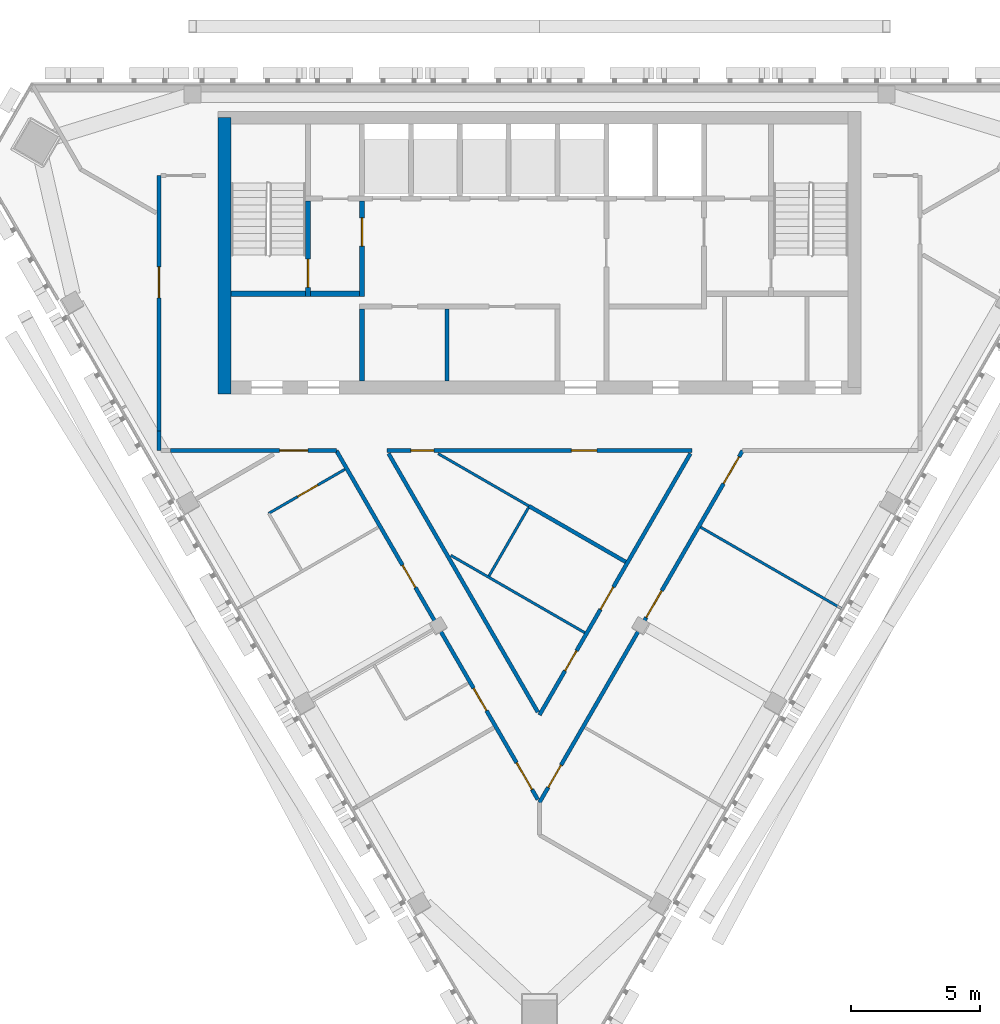
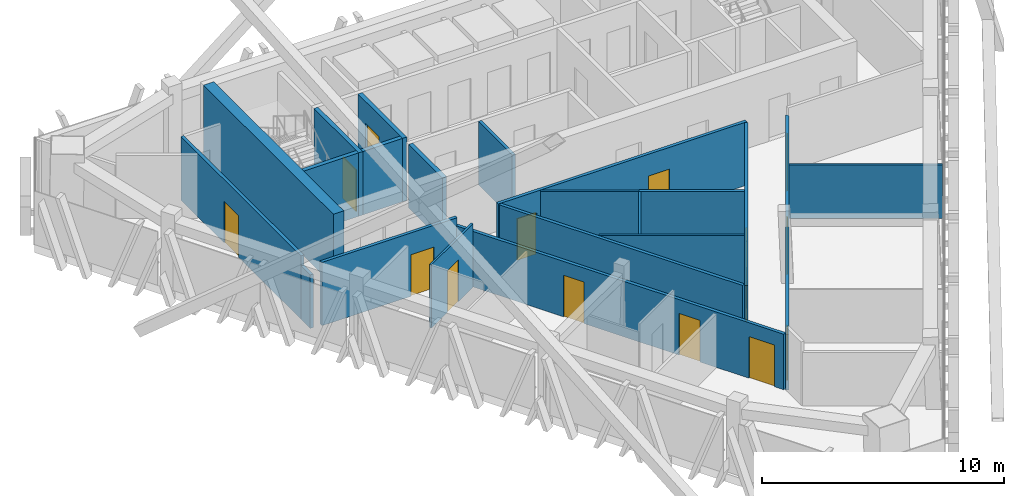
# One storey, part 6 of 12: 21 walls, 15 doors, 15 openings.
"""IFC4 building model written with IfcOpenShell, lengths in metres."""

import ifcopenshell
import ifcopenshell.guid

model = None  # the IFC model being written
_history = None  # IfcOwnerHistory: only IFC2X3 demands one
_inside = {}  # id of a spatial element -> (the spatial element, [elements in it])
_under = {}  # id of a project, library or spatial element -> (it, [spatial elements below it])
_declared = {}  # id of a project -> (the project, [libraries it declares])
_typed = {}  # id of a type object -> (the type object, [elements of that type])
_made_of = {}  # id of a material, layer set ... -> (it, [elements and type objects made of it])


def new_model(schema):
    """Start an empty IFC model of exactly this schema.

    Asked for "IFC4X3", IfcOpenShell would pick the latest addendum, in which some entities
    have other attributes; the version numbers below select the first issue.
    IFC2X3 requires an IfcOwnerHistory on every rooted entity: one is made here for all.
    """
    global model, _history
    if schema == "IFC4X3":
        model = ifcopenshell.file(schema_version=(4, 3, 0, 0))
    else:
        model = ifcopenshell.file(schema=schema)
    _inside.clear()
    _under.clear()
    _declared.clear()
    _typed.clear()
    _made_of.clear()
    _history = None
    if model.schema == "IFC2X3":
        org = make("IfcOrganization", Name="unknown")
        user = make(
            "IfcPersonAndOrganization",
            ThePerson=make("IfcPerson", FamilyName="unknown"),
            TheOrganization=org,
        )
        app = make(
            "IfcApplication",
            ApplicationDeveloper=org,
            Version="unknown",
            ApplicationFullName="unknown",
            ApplicationIdentifier="unknown",
        )
        _history = make(
            "IfcOwnerHistory",
            OwningUser=user,
            OwningApplication=app,
            ChangeAction="ADDED",
            CreationDate=0,
        )
    return model


def make(cls, **values):
    """One entity of the class cls with the attributes given. An attribute that is None is left unset."""
    return model.create_entity(
        cls, **{name: value for name, value in values.items() if value is not None}
    )


def rooted(cls, **values):
    """An entity with a GlobalId (a new one), such as an element, a storey or a relation."""
    return make(cls, GlobalId=ifcopenshell.guid.new(), OwnerHistory=_history, **values)


def si_unit(unit_type, name, prefix=None):
    """IfcSIUnit, for example si_unit("LENGTHUNIT", "METRE", prefix="MILLI")."""
    return make("IfcSIUnit", UnitType=unit_type, Prefix=prefix, Name=name)


def assignment(units):
    """IfcUnitAssignment: the units of a project."""
    return None if units is None else make("IfcUnitAssignment", Units=units)


def point(xyz):
    """IfcCartesianPoint."""
    return None if xyz is None else make("IfcCartesianPoint", Coordinates=xyz)


def direction(xyz):
    """IfcDirection."""
    return None if xyz is None else make("IfcDirection", DirectionRatios=xyz)


def frame(location, z_axis=None, x_axis=None):
    """IfcAxis2Placement3D, a coordinate frame: its origin and axes. An axis left out is left unset."""
    return make(
        "IfcAxis2Placement3D",
        Location=point(location),
        Axis=direction(z_axis),
        RefDirection=direction(x_axis),
    )


def frame_2d(location, x_axis=None):
    """IfcAxis2Placement2D, a coordinate frame in the plane: its origin and x axis."""
    return make(
        "IfcAxis2Placement2D", Location=point(location), RefDirection=direction(x_axis)
    )


def origin():
    """The frame at (0, 0, 0) with its axes left unset."""
    return frame((0.0, 0.0, 0.0))


def place(relative_to, where):
    """IfcLocalPlacement: puts the frame where relative to a parent placement (None: the world)."""
    return make(
        "IfcLocalPlacement", PlacementRelTo=relative_to, RelativePlacement=where
    )


def context(
    kind, dimensions, precision=None, world=None, true_north=None, identifier=None
):
    """IfcGeometricRepresentationContext, for example the 3D "Model" context."""
    return make(
        "IfcGeometricRepresentationContext",
        ContextIdentifier=identifier,
        ContextType=kind,
        CoordinateSpaceDimension=dimensions,
        Precision=precision,
        WorldCoordinateSystem=world,
        TrueNorth=true_north,
    )


def subcontext(parent, identifier, kind, view, scale=None):
    """IfcGeometricRepresentationSubContext, for example "Body" below "Model"."""
    return make(
        "IfcGeometricRepresentationSubContext",
        ContextIdentifier=identifier,
        ContextType=kind,
        ParentContext=parent,
        TargetScale=scale,
        TargetView=view,
    )


def project(units=None, contexts=None):
    """IfcProject with its units and contexts."""
    return rooted(
        "IfcProject",
        Name="project",
        RepresentationContexts=contexts,
        UnitsInContext=assignment(units),
    )


def spatial(cls, under=None, at=None, **own):
    """A site, building, storey or space (cls), placed at a placement, below another one or the project."""
    s = rooted(cls, ObjectPlacement=at, **own)
    if under is not None:
        _under.setdefault(under.id(), (under, []))[1].append(s)
    return s


def profile(cls, at=None, kind="AREA", **sizes):
    """A parametric profile (cls). Its sizes go by their IFC names, for example OverallWidth=200.0."""
    return make(cls, ProfileType=kind, Position=at, **sizes)


def rectangle(**sizes):
    """IfcRectangleProfileDef."""
    return profile("IfcRectangleProfileDef", **sizes)


def extrude(swept, where, along, depth):
    """IfcExtrudedAreaSolid: the profile swept, set in the frame where, extruded along a direction by depth."""
    return make(
        "IfcExtrudedAreaSolid",
        SweptArea=swept,
        Position=where,
        ExtrudedDirection=direction(along),
        Depth=depth,
    )


def shape(context_of_items, identifier, shape_type, items):
    """IfcShapeRepresentation: the items that make up one representation, for example the "Body"."""
    return make(
        "IfcShapeRepresentation",
        ContextOfItems=context_of_items,
        RepresentationIdentifier=identifier,
        RepresentationType=shape_type,
        Items=items,
    )


def material(Name=None, Category=None):
    """IfcMaterial."""
    return make("IfcMaterial", Name=Name, Category=Category)


def layer(
    of_material, thickness, ventilated=None, Name=None, Category=None, Priority=None
):
    """IfcMaterialLayer: one layer of a wall or slab, of a material (None: an air gap)."""
    return make(
        "IfcMaterialLayer",
        Material=of_material,
        LayerThickness=thickness,
        IsVentilated=ventilated,
        Name=Name,
        Category=Category,
        Priority=Priority,
    )


def layer_set(layers, Name=None):
    """IfcMaterialLayerSet."""
    return make("IfcMaterialLayerSet", MaterialLayers=layers, LayerSetName=Name)


def made_of(thing, what):
    """Note that an element or type object is made of a material, layer set ...; save() writes the relation."""
    if what is not None:
        _made_of.setdefault(what.id(), (what, []))[1].append(thing)
    return thing


def type_object(cls, material=None, **own):
    """A type object (cls), such as IfcWallType, which elements share."""
    return made_of(rooted(cls, **own), material)


def element(
    cls,
    number,
    at=None,
    inside=None,
    cuts=None,
    type_object=None,
    material=None,
    context=None,
    identifier="Body",
    shape_type=None,
    held_by="IfcProductDefinitionShape",
    body=None,
    shapes=None,
    **own,
):
    """One element of the class cls, such as IfcWall. Its Tag is "e" and its number.

    at: its placement. inside: the storey or other place that contains it. cuts: it is an
    opening in that element (IfcRelVoidsElement). A single representation is given by context,
    identifier, shape_type and body (its items); several are given by shapes. held_by: the class
    of the entity that holds the representations. save() writes the other relations.
    """
    e = rooted(cls, Tag="e%d" % number, ObjectPlacement=at, **own)
    if body is not None:
        shapes = [shape(context, identifier, shape_type, body)]
    if shapes is not None:
        e.Representation = make(held_by, Representations=shapes)
    if inside is not None:
        _inside.setdefault(inside.id(), (inside, []))[1].append(e)
    if cuts is not None:
        rooted(
            "IfcRelVoidsElement", RelatingBuildingElement=cuts, RelatedOpeningElement=e
        )
    if type_object is not None:
        _typed.setdefault(type_object.id(), (type_object, []))[1].append(e)
    return made_of(e, material)


def fill(opening, filler):
    """IfcRelFillsElement: the door or window that sits in an opening."""
    return rooted(
        "IfcRelFillsElement",
        RelatingOpeningElement=opening,
        RelatedBuildingElement=filler,
    )


def aggregate(whole, parts):
    """IfcRelAggregates: a whole, such as a stair, and the parts it consists of."""
    return rooted("IfcRelAggregates", RelatingObject=whole, RelatedObjects=parts)


def save(model, path):
    """Write the relations noted so far, then the file.

    IfcRelAggregates (storeys below a building ...), IfcRelContainedInSpatialStructure (elements
    in a storey), IfcRelDefinesByType, IfcRelAssociatesMaterial and IfcRelDeclares: one each for
    every whole, place, type object, material and project.
    """
    for whole, parts in _under.values():
        aggregate(whole, parts)
    for where, things in _inside.values():
        rooted(
            "IfcRelContainedInSpatialStructure",
            RelatedElements=things,
            RelatingStructure=where,
        )
    for kind, things in _typed.values():
        rooted("IfcRelDefinesByType", RelatedObjects=things, RelatingType=kind)
    for what, things in _made_of.values():
        rooted("IfcRelAssociatesMaterial", RelatedObjects=things, RelatingMaterial=what)
    for by, libraries in _declared.values():
        rooted("IfcRelDeclares", RelatingContext=by, RelatedDefinitions=libraries)
    model.write(path)


model = new_model("IFC4")

# Units and contexts
model_context = context("Model", 3, precision=1e-05, world=origin(), true_north=direction((0.0, 1.0)))
body_context = subcontext(model_context, "Body", "Model", "MODEL_VIEW")
ifc_project = project(units=[si_unit("LENGTHUNIT", "METRE"), si_unit("AREAUNIT", "SQUARE_METRE"), si_unit("VOLUMEUNIT", "CUBIC_METRE"), si_unit("PLANEANGLEUNIT", "RADIAN"), si_unit("MASSUNIT", "GRAM", prefix="KILO")], contexts=[model_context])

# Site, building, storey
site_placement = place(None, origin())
site = spatial("IfcSite", under=ifc_project, at=site_placement, CompositionType="ELEMENT")
building_placement = place(site_placement, origin())
building = spatial("IfcBuilding", under=site, at=building_placement, Name="Altiplano Prism Tower", CompositionType="ELEMENT")
storey_placement = place(building_placement, frame((0.0, 0.0, 313.0)))
storey = spatial("IfcBuildingStorey", under=building, at=storey_placement, Name="L81", CompositionType="ELEMENT", Elevation=313.0)

# Wall
ifc_material_1 = material(Name="Concrete C60/75", Category="concrete")
ifc_layer_1 = layer(ifc_material_1, 0.5)
ifc_layer_set_1 = layer_set([ifc_layer_1], Name="Concrete C60/75")
wall_type_1 = type_object("IfcWallType", Name="Core wall 500", PredefinedType="SHEAR", material=ifc_layer_set_1)
wall_1_placement = place(storey_placement, frame((72.75, 103.64990234375, 0.0), z_axis=(0.0, 0.0, 1.0), x_axis=(0.0, -1.0, 0.0)))
element("IfcWall", 1, at=wall_1_placement, inside=storey, type_object=wall_type_1, Name="Core wall W L81", PredefinedType="SHEAR", context=body_context, shape_type="SweptSolid", body=[
    extrude(rectangle(XDim=10.75, YDim=0.5, at=frame_2d((5.375, 0.0))), origin(), (0.0, 0.0, 1.0), 3.60009765625),
])

# Wall, opening, door
ifc_material_2 = material(Name="Plasterboard on steel stud", Category="steel")
ifc_layer_2 = layer(ifc_material_2, 0.10009765625)
ifc_layer_set_2 = layer_set([ifc_layer_2], Name="Plasterboard on steel stud")
wall_type_2 = type_object("IfcWallType", Name="Partition 100 unit", PredefinedType="PARTITIONING", material=ifc_layer_set_2)
wall_2_placement = place(storey_placement, frame((74.46630859375, 88.25830078125, 0.0), z_axis=(0.0, 0.0, 1.0), x_axis=(0.866001587311, 0.500041249073, 0.0)))
wall_2 = element("IfcWall", 2, at=wall_2_placement, inside=storey, type_object=wall_type_2, Name="Partition P02 L81 024", PredefinedType="PARTITIONING", context=body_context, shape_type="SweptSolid", body=[
    extrude(rectangle(XDim=3.425048828125, YDim=0.10009765625, at=frame_2d((1.71240234375, 0.0))), origin(), (0.0, 0.0, 1.0), 3.199951171875),
])
opening_1_placement = place(wall_2_placement, frame((1.300048828125, 0.0, 0.0)))
opening_1 = element("IfcOpeningElement", 3, at=opening_1_placement, cuts=wall_2, Name="Opening D2397", PredefinedType="OPENING", context=body_context, shape_type="SweptSolid", body=[
    extrude(rectangle(XDim=0.89990234375, YDim=2.10009765625, at=frame_2d((0.449951171875, 1.050048828125))), frame((0.0, 0.060546875, 0.0), z_axis=(0.0, -1.0, 0.0), x_axis=(1.0, 0.0, 0.0)), (0.0, 0.0, 1.0), 0.12109375),
])
ifc_material_3 = material(Name="Timber", Category="wood")
door_type_1 = type_object("IfcDoorType", Name="Accessible ensuite door 900 x 2100", OperationType="NOTDEFINED", PredefinedType="NOTDEFINED", material=ifc_material_3)
door_1_placement = place(opening_1_placement, origin())
door_1 = element("IfcDoor", 4, at=door_1_placement, inside=storey, type_object=door_type_1, Name="Door D2397", OperationType="SINGLE_SWING_RIGHT", OverallHeight=2.10009765625, OverallWidth=0.89990234375, PredefinedType="NOTDEFINED", context=body_context, shape_type="SweptSolid", body=[
    extrude(rectangle(XDim=0.89990234375, YDim=2.10009765625, at=frame_2d((0.449951171875, 1.050048828125))), frame((0.0, 0.02490234375, 0.0), z_axis=(0.0, -1.0, 0.0), x_axis=(1.0, 0.0, 0.0)), (0.0, 0.0, 1.0), 0.050048828125),
])
fill(opening_1, door_1)

# Walls
ifc_layer_3 = layer(ifc_material_2, 0.10009765625)
ifc_layer_set_3 = layer_set([ifc_layer_3], Name="Plasterboard on steel stud")
wall_type_3 = type_object("IfcWallType", Name="Partition 100 wet", PredefinedType="PARTITIONING", material=ifc_layer_set_3)
wall_3_placement = place(storey_placement, frame((86.76123046875, 83.6162109375, 0.0), z_axis=(0.0, 0.0, 1.0), x_axis=(-0.866021325848, 0.500007063126, 0.0)))
element("IfcWall", 5, at=wall_3_placement, inside=storey, type_object=wall_type_3, Name="Partition P03 L81 016", PredefinedType="PARTITIONING", context=body_context, shape_type="SweptSolid", body=[
    extrude(rectangle(XDim=6.0146484375, YDim=0.10009765625, at=frame_2d((3.00732421875, 0.0))), origin(), (0.0, 0.0, 1.0), 3.199951171875),
])
wall_4_placement = place(storey_placement, frame((83.037353515625, 85.823974609375, 0.0), z_axis=(0.0, 0.0, 1.0), x_axis=(0.500040617714, 0.866001951866, 0.0)))
element("IfcWall", 6, at=wall_4_placement, inside=storey, type_object=wall_type_3, Name="Partition P03 L81 017", PredefinedType="PARTITIONING", context=body_context, shape_type="SweptSolid", body=[
    extrude(rectangle(XDim=3.055419921875, YDim=0.10009765625, at=frame_2d((1.52783203125, 0.0))), origin(), (0.0, 0.0, 1.0), 3.199951171875),
])
wall_5_placement = place(storey_placement, frame((84.585205078125, 88.544921875, 0.0), z_axis=(0.0, 0.0, 1.0), x_axis=(-0.866001841656, 0.500040808584, 0.0)))
element("IfcWall", 7, at=wall_5_placement, inside=storey, type_object=wall_type_3, Name="Partition P03 L81 018", PredefinedType="PARTITIONING", context=body_context, shape_type="SweptSolid", body=[
    extrude(rectangle(XDim=4.071533203125, YDim=0.10009765625, at=frame_2d((2.03564453125, 0.0))), origin(), (0.0, 0.0, 1.0), 3.199951171875),
])
wall_6_placement = place(storey_placement, frame((96.7626953125, 84.546630859375, 0.0), z_axis=(0.0, 0.0, 1.0), x_axis=(-0.866025401434, 0.500000004071, 0.0)))
element("IfcWall", 8, at=wall_6_placement, inside=storey, type_object=wall_type_3, Name="Partition P03 L81 033", PredefinedType="PARTITIONING", context=body_context, shape_type="SweptSolid", body=[
    extrude(rectangle(XDim=6.34521484375, YDim=0.10009765625, at=frame_2d((3.172607421875, 0.0))), origin(), (0.0, 0.0, 1.0), 2.699951171875),
])

# Wall, openings, doors
ifc_layer_4 = layer(ifc_material_2, 0.14990234375)
ifc_layer_set_4 = layer_set([ifc_layer_4], Name="Plasterboard on steel stud")
wall_type_4 = type_object("IfcWallType", Name="Partition 150 corridor", PredefinedType="PARTITIONING", material=ifc_layer_set_4)
wall_7_placement = place(storey_placement, frame((90.872314453125, 90.58642578125, 0.0), z_axis=(0.0, 0.0, 1.0), x_axis=(-0.500009164052, -0.866020112852, 0.0)))
wall_7 = element("IfcWall", 9, at=wall_7_placement, inside=storey, type_object=wall_type_4, Name="Partition P06 L81 001", PredefinedType="PARTITIONING", context=body_context, shape_type="SweptSolid", body=[
    extrude(rectangle(XDim=11.744384765625, YDim=0.14990234375, at=frame_2d((5.8720703125, 0.0))), origin(), (0.0, 0.0, 1.0), 3.199951171875),
])
opening_2_placement = place(wall_7_placement, frame((8.860107421875, 0.0, 0.0)))
opening_2 = element("IfcOpeningElement", 10, at=opening_2_placement, cuts=wall_7, Name="Opening D2391", PredefinedType="OPENING", context=body_context, shape_type="SweptSolid", body=[
    extrude(rectangle(XDim=0.89990234375, YDim=2.10009765625, at=frame_2d((0.449951171875, 1.050048828125))), frame((0.0, 0.08544921875, 0.0), z_axis=(0.0, -1.0, 0.0), x_axis=(1.0, 0.0, 0.0)), (0.0, 0.0, 1.0), 0.1708984375),
])
opening_3_placement = place(wall_7_placement, frame((6.001953125, 0.0, 0.0)))
opening_3 = element("IfcOpeningElement", 11, at=opening_3_placement, cuts=wall_7, Name="Opening D2393", PredefinedType="OPENING", context=body_context, shape_type="SweptSolid", body=[
    extrude(rectangle(XDim=1.0, YDim=2.10009765625, at=frame_2d((0.5, 1.050048828125))), frame((0.0, 0.08544921875, 0.0), z_axis=(0.0, -1.0, 0.0), x_axis=(1.0, 0.0, 0.0)), (0.0, 0.0, 1.0), 0.1708984375),
])
door_type_2 = type_object("IfcDoorType", Name="Store door 1000 x 2100", OperationType="NOTDEFINED", PredefinedType="NOTDEFINED", material=ifc_material_3)
door_2_placement = place(opening_3_placement, origin())
door_2 = element("IfcDoor", 12, at=door_2_placement, inside=storey, type_object=door_type_2, Name="Door D2393", OperationType="SINGLE_SWING_RIGHT", OverallHeight=2.10009765625, OverallWidth=1.0, PredefinedType="NOTDEFINED", context=body_context, shape_type="SweptSolid", body=[
    extrude(rectangle(XDim=1.0, YDim=2.10009765625, at=frame_2d((0.5, 1.050048828125))), frame((0.0, 0.02490234375, 0.0), z_axis=(0.0, -1.0, 0.0), x_axis=(1.0, 0.0, 0.0)), (0.0, 0.0, 1.0), 0.050048828125),
])
fill(opening_3, door_2)
door_type_3 = type_object("IfcDoorType", Name="Toilet door 900 x 2100", OperationType="NOTDEFINED", PredefinedType="NOTDEFINED", material=ifc_material_3)
door_3_placement = place(opening_2_placement, origin())
door_3 = element("IfcDoor", 13, at=door_3_placement, inside=storey, type_object=door_type_3, Name="Door D2391", OperationType="SINGLE_SWING_RIGHT", OverallHeight=2.10009765625, OverallWidth=0.89990234375, PredefinedType="NOTDEFINED", context=body_context, shape_type="SweptSolid", body=[
    extrude(rectangle(XDim=0.89990234375, YDim=2.10009765625, at=frame_2d((0.449951171875, 1.050048828125))), frame((0.0, 0.02490234375, 0.0), z_axis=(0.0, -1.0, 0.0), x_axis=(1.0, 0.0, 0.0)), (0.0, 0.0, 1.0), 0.050048828125),
])
fill(opening_2, door_3)

# Wall
wall_8_placement = place(storey_placement, frame((84.93505859375, 80.52783203125, 0.0), z_axis=(0.0, 0.0, 1.0), x_axis=(-0.500002662854, 0.86602386638, 0.0)))
element("IfcWall", 14, at=wall_8_placement, inside=storey, type_object=wall_type_4, Name="Partition P06 L81 002", PredefinedType="PARTITIONING", context=body_context, shape_type="SweptSolid", body=[
    extrude(rectangle(XDim=11.61474609375, YDim=0.14990234375, at=frame_2d((5.807373046875, 0.0))), origin(), (0.0, 0.0, 1.0), 3.199951171875),
])

# Wall, openings, doors
wall_9_placement = place(storey_placement, frame((79.062744140625, 90.698974609375, 0.0), z_axis=(0.0, 0.0, 1.0), x_axis=(1.0, 0.0, 0.0)))
wall_9 = element("IfcWall", 15, at=wall_9_placement, inside=storey, type_object=wall_type_4, Name="Partition P06 L81 003", PredefinedType="PARTITIONING", context=body_context, shape_type="SweptSolid", body=[
    extrude(rectangle(XDim=11.87451171875, YDim=0.14990234375, at=frame_2d((5.937255859375, 0.0))), origin(), (0.0, 0.0, 1.0), 3.199951171875),
])
opening_4_placement = place(wall_9_placement, frame((0.93310546875, 0.0, 0.0)))
opening_4 = element("IfcOpeningElement", 16, at=opening_4_placement, cuts=wall_9, Name="Opening D2392", PredefinedType="OPENING", context=body_context, shape_type="SweptSolid", body=[
    extrude(rectangle(XDim=0.89990234375, YDim=2.10009765625, at=frame_2d((0.449951171875, 1.050048828125))), frame((0.0, 0.08544921875, 0.0), z_axis=(0.0, -1.0, 0.0), x_axis=(1.0, 0.0, 0.0)), (0.0, 0.0, 1.0), 0.1708984375),
])
opening_5_placement = place(wall_9_placement, frame((7.173095703125, 0.0, 0.0)))
opening_5 = element("IfcOpeningElement", 17, at=opening_5_placement, cuts=wall_9, Name="Opening D2394", PredefinedType="OPENING", context=body_context, shape_type="SweptSolid", body=[
    extrude(rectangle(XDim=1.0, YDim=2.10009765625, at=frame_2d((0.5, 1.050048828125))), frame((0.0, 0.08544921875, 0.0), z_axis=(0.0, -1.0, 0.0), x_axis=(1.0, 0.0, 0.0)), (0.0, 0.0, 1.0), 0.1708984375),
])
door_type_4 = type_object("IfcDoorType", Name="Room door 1000 x 2100", OperationType="NOTDEFINED", PredefinedType="NOTDEFINED", material=ifc_material_3)
door_4_placement = place(opening_5_placement, origin())
door_4 = element("IfcDoor", 18, at=door_4_placement, inside=storey, type_object=door_type_4, Name="Door D2394", OperationType="SINGLE_SWING_RIGHT", OverallHeight=2.10009765625, OverallWidth=1.0, PredefinedType="NOTDEFINED", context=body_context, shape_type="SweptSolid", body=[
    extrude(rectangle(XDim=1.0, YDim=2.10009765625, at=frame_2d((0.5, 1.050048828125))), frame((0.0, 0.02490234375, 0.0), z_axis=(0.0, -1.0, 0.0), x_axis=(1.0, 0.0, 0.0)), (0.0, 0.0, 1.0), 0.050048828125),
])
fill(opening_5, door_4)
door_5_placement = place(opening_4_placement, origin())
door_5 = element("IfcDoor", 19, at=door_5_placement, inside=storey, type_object=door_type_3, Name="Door D2392", OperationType="SINGLE_SWING_RIGHT", OverallHeight=2.10009765625, OverallWidth=0.89990234375, PredefinedType="NOTDEFINED", context=body_context, shape_type="SweptSolid", body=[
    extrude(rectangle(XDim=0.89990234375, YDim=2.10009765625, at=frame_2d((0.449951171875, 1.050048828125))), frame((0.0, 0.02490234375, 0.0), z_axis=(0.0, -1.0, 0.0), x_axis=(1.0, 0.0, 0.0)), (0.0, 0.0, 1.0), 0.050048828125),
])
fill(opening_4, door_5)

# Wall, opening, door
wall_10_placement = place(storey_placement, frame((70.199462890625, 101.40087890625, 0.0), z_axis=(0.0, 0.0, 1.0), x_axis=(4.9143671e-05, -0.999999998792, 0.0)))
wall_10 = element("IfcWall", 20, at=wall_10_placement, inside=storey, type_object=wall_type_4, Name="Partition P06 L81 004", PredefinedType="PARTITIONING", context=body_context, shape_type="SweptSolid", body=[
    extrude(rectangle(XDim=9.935791015625, YDim=0.14990234375, at=frame_2d((4.9677734375, 0.0))), origin(), (0.0, 0.0, 1.0), 3.199951171875),
])
opening_6_placement = place(wall_10_placement, frame((3.555908203125, 0.0, 0.0)))
opening_6 = element("IfcOpeningElement", 21, at=opening_6_placement, cuts=wall_10, Name="Opening D2395", PredefinedType="OPENING", context=body_context, shape_type="SweptSolid", body=[
    extrude(rectangle(XDim=1.199951171875, YDim=2.10009765625, at=frame_2d((0.60009765625, 1.050048828125))), frame((0.0, 0.08544921875, 0.0), z_axis=(0.0, -1.0, 0.0), x_axis=(1.0, 0.0, 0.0)), (0.0, 0.0, 1.0), 0.1708984375),
])
door_type_5 = type_object("IfcDoorType", Name="Shared room door 1200 x 2100", OperationType="NOTDEFINED", PredefinedType="NOTDEFINED", material=ifc_material_3)
door_6_placement = place(opening_6_placement, origin())
door_6 = element("IfcDoor", 22, at=door_6_placement, inside=storey, type_object=door_type_5, Name="Door D2395", OperationType="SINGLE_SWING_LEFT", OverallHeight=2.10009765625, OverallWidth=1.199951171875, PredefinedType="NOTDEFINED", context=body_context, shape_type="SweptSolid", body=[
    extrude(rectangle(XDim=1.199951171875, YDim=2.10009765625, at=frame_2d((0.60009765625, 1.050048828125))), frame((0.0, 0.02490234375, 0.0), z_axis=(0.0, -1.0, 0.0), x_axis=(1.0, 0.0, 0.0)), (0.0, 0.0, 1.0), 0.050048828125),
])
fill(opening_6, door_6)

# Wall
wall_11_placement = place(storey_placement, frame((70.199951171875, 91.465087890625, 0.0), z_axis=(0.0, 0.0, 1.0), x_axis=(0.0, -1.0, 0.0)))
element("IfcWall", 23, at=wall_11_placement, inside=storey, type_object=wall_type_4, Name="Partition P06 L81 005", PredefinedType="PARTITIONING", context=body_context, shape_type="SweptSolid", body=[
    extrude(rectangle(XDim=0.76513671875, YDim=0.14990234375, at=frame_2d((0.382568359375, 0.0))), origin(), (0.0, 0.0, 1.0), 2.699951171875),
])

# Wall, opening, door
wall_12_placement = place(storey_placement, frame((70.6416015625, 90.699951171875, 0.0), z_axis=(0.0, 0.0, 1.0), x_axis=(1.0, 0.0, 0.0)))
wall_12 = element("IfcWall", 24, at=wall_12_placement, inside=storey, type_object=wall_type_4, Name="Partition P06 L81 007", PredefinedType="PARTITIONING", context=body_context, shape_type="SweptSolid", body=[
    extrude(rectangle(XDim=6.45654296875, YDim=0.14990234375, at=frame_2d((3.228271484375, 0.0))), origin(), (0.0, 0.0, 1.0), 3.199951171875),
])
opening_7_placement = place(wall_12_placement, frame((4.248046875, 0.0, 0.0)))
opening_7 = element("IfcOpeningElement", 25, at=opening_7_placement, cuts=wall_12, Name="Opening D2396", PredefinedType="OPENING", context=body_context, shape_type="SweptSolid", body=[
    extrude(rectangle(XDim=1.10009765625, YDim=2.10009765625, at=frame_2d((0.550048828125, 1.050048828125))), frame((0.0, 0.08544921875, 0.0), z_axis=(0.0, -1.0, 0.0), x_axis=(1.0, 0.0, 0.0)), (0.0, 0.0, 1.0), 0.1708984375),
])
door_type_6 = type_object("IfcDoorType", Name="Accessible bedroom door 1100 x 2100", OperationType="NOTDEFINED", PredefinedType="NOTDEFINED", material=ifc_material_3)
door_7_placement = place(opening_7_placement, origin())
door_7 = element("IfcDoor", 26, at=door_7_placement, inside=storey, type_object=door_type_6, Name="Door D2396", OperationType="SINGLE_SWING_RIGHT", OverallHeight=2.10009765625, OverallWidth=1.10009765625, PredefinedType="NOTDEFINED", context=body_context, shape_type="SweptSolid", body=[
    extrude(rectangle(XDim=1.10009765625, YDim=2.10009765625, at=frame_2d((0.550048828125, 1.050048828125))), frame((0.0, 0.02490234375, 0.0), z_axis=(0.0, -1.0, 0.0), x_axis=(1.0, 0.0, 0.0)), (0.0, 0.0, 1.0), 0.050048828125),
])
fill(opening_7, door_7)

# Wall, openings, doors
wall_13_placement = place(storey_placement, frame((77.09814453125, 90.699951171875, 0.0), z_axis=(0.0, 0.0, 1.0), x_axis=(0.49999885962, -0.866026062182, 0.0)))
wall_13 = element("IfcWall", 27, at=wall_13_placement, inside=storey, type_object=wall_type_4, Name="Partition P06 L81 008", PredefinedType="PARTITIONING", context=body_context, shape_type="SweptSolid", body=[
    extrude(rectangle(XDim=15.673828125, YDim=0.14990234375, at=frame_2d((7.8369140625, 0.0))), origin(), (0.0, 0.0, 1.0), 2.800048828125),
])
opening_8_placement = place(wall_13_placement, frame((5.14892578125, 0.0, 0.0)))
opening_8 = element("IfcOpeningElement", 28, at=opening_8_placement, cuts=wall_13, Name="Opening D2398", PredefinedType="OPENING", context=body_context, shape_type="SweptSolid", body=[
    extrude(rectangle(XDim=1.0, YDim=2.10009765625, at=frame_2d((0.5, 1.050048828125))), frame((0.0, 0.08544921875, 0.0), z_axis=(0.0, -1.0, 0.0), x_axis=(1.0, 0.0, 0.0)), (0.0, 0.0, 1.0), 0.1708984375),
])
opening_9_placement = place(wall_13_placement, frame((10.677978515625, 0.0, 0.0)))
opening_9 = element("IfcOpeningElement", 29, at=opening_9_placement, cuts=wall_13, Name="Opening D2399", PredefinedType="OPENING", context=body_context, shape_type="SweptSolid", body=[
    extrude(rectangle(XDim=1.0, YDim=2.10009765625, at=frame_2d((0.5, 1.050048828125))), frame((0.0, 0.08544921875, 0.0), z_axis=(0.0, -1.0, 0.0), x_axis=(1.0, 0.0, 0.0)), (0.0, 0.0, 1.0), 0.1708984375),
])
opening_10_placement = place(wall_13_placement, frame((14.02197265625, 0.0, 0.0)))
opening_10 = element("IfcOpeningElement", 30, at=opening_10_placement, cuts=wall_13, Name="Opening D2401", PredefinedType="OPENING", context=body_context, shape_type="SweptSolid", body=[
    extrude(rectangle(XDim=1.199951171875, YDim=2.10009765625, at=frame_2d((0.60009765625, 1.050048828125))), frame((0.0, 0.08544921875, 0.0), z_axis=(0.0, -1.0, 0.0), x_axis=(1.0, 0.0, 0.0)), (0.0, 0.0, 1.0), 0.1708984375),
])
door_type_7 = type_object("IfcDoorType", Name="Bedroom entrance door 1000 x 2100", OperationType="NOTDEFINED", PredefinedType="NOTDEFINED", material=ifc_material_3)
door_8_placement = place(opening_9_placement, origin())
door_8 = element("IfcDoor", 31, at=door_8_placement, inside=storey, type_object=door_type_7, Name="Door D2399", OperationType="SINGLE_SWING_LEFT", OverallHeight=2.10009765625, OverallWidth=1.0, PredefinedType="NOTDEFINED", context=body_context, shape_type="SweptSolid", body=[
    extrude(rectangle(XDim=1.0, YDim=2.10009765625, at=frame_2d((0.5, 1.050048828125))), frame((0.0, 0.02490234375, 0.0), z_axis=(0.0, -1.0, 0.0), x_axis=(1.0, 0.0, 0.0)), (0.0, 0.0, 1.0), 0.050048828125),
])
fill(opening_9, door_8)
door_9_placement = place(opening_8_placement, origin())
door_9 = element("IfcDoor", 32, at=door_9_placement, inside=storey, type_object=door_type_4, Name="Door D2398", OperationType="SINGLE_SWING_RIGHT", OverallHeight=2.10009765625, OverallWidth=1.0, PredefinedType="NOTDEFINED", context=body_context, shape_type="SweptSolid", body=[
    extrude(rectangle(XDim=1.0, YDim=2.10009765625, at=frame_2d((0.5, 1.050048828125))), frame((0.0, 0.02490234375, 0.0), z_axis=(0.0, -1.0, 0.0), x_axis=(1.0, 0.0, 0.0)), (0.0, 0.0, 1.0), 0.050048828125),
])
fill(opening_8, door_9)
door_10_placement = place(opening_10_placement, origin())
door_10 = element("IfcDoor", 33, at=door_10_placement, inside=storey, type_object=door_type_5, Name="Door D2401", OperationType="SINGLE_SWING_LEFT", OverallHeight=2.10009765625, OverallWidth=1.199951171875, PredefinedType="NOTDEFINED", context=body_context, shape_type="SweptSolid", body=[
    extrude(rectangle(XDim=1.199951171875, YDim=2.10009765625, at=frame_2d((0.60009765625, 1.050048828125))), frame((0.0, 0.02490234375, 0.0), z_axis=(0.0, -1.0, 0.0), x_axis=(1.0, 0.0, 0.0)), (0.0, 0.0, 1.0), 0.050048828125),
])
fill(opening_10, door_10)

wall_14_placement = place(storey_placement, frame((85.0, 77.013427734375, 0.0), z_axis=(0.0, 0.0, 1.0), x_axis=(0.499997032887, 0.866027116841, 0.0)))
wall_14 = element("IfcWall", 34, at=wall_14_placement, inside=storey, type_object=wall_type_4, Name="Partition P06 L81 009", PredefinedType="PARTITIONING", context=body_context, shape_type="SweptSolid", body=[
    extrude(rectangle(XDim=15.8037109375, YDim=0.14990234375, at=frame_2d((7.90185546875, 0.0))), origin(), (0.0, 0.0, 1.0), 2.800048828125),
])
opening_11_placement = place(wall_14_placement, frame((0.677978515625, 0.0, 0.0)))
opening_11 = element("IfcOpeningElement", 35, at=opening_11_placement, cuts=wall_14, Name="Opening D2402", PredefinedType="OPENING", context=body_context, shape_type="SweptSolid", body=[
    extrude(rectangle(XDim=1.0, YDim=2.10009765625, at=frame_2d((0.5, 1.050048828125))), frame((0.0, 0.08544921875, 0.0), z_axis=(0.0, -1.0, 0.0), x_axis=(1.0, 0.0, 0.0)), (0.0, 0.0, 1.0), 0.1708984375),
])
opening_12_placement = place(wall_14_placement, frame((8.304931640625, 0.0, 0.0)))
opening_12 = element("IfcOpeningElement", 36, at=opening_12_placement, cuts=wall_14, Name="Opening D2403", PredefinedType="OPENING", context=body_context, shape_type="SweptSolid", body=[
    extrude(rectangle(XDim=1.199951171875, YDim=2.10009765625, at=frame_2d((0.60009765625, 1.050048828125))), frame((0.0, 0.08544921875, 0.0), z_axis=(0.0, -1.0, 0.0), x_axis=(1.0, 0.0, 0.0)), (0.0, 0.0, 1.0), 0.1708984375),
])
opening_13_placement = place(wall_14_placement, frame((14.322021484375, 0.0, 0.0)))
opening_13 = element("IfcOpeningElement", 37, at=opening_13_placement, cuts=wall_14, Name="Opening D2404", PredefinedType="OPENING", context=body_context, shape_type="SweptSolid", body=[
    extrude(rectangle(XDim=1.199951171875, YDim=2.10009765625, at=frame_2d((0.60009765625, 1.050048828125))), frame((0.0, 0.08544921875, 0.0), z_axis=(0.0, -1.0, 0.0), x_axis=(1.0, 0.0, 0.0)), (0.0, 0.0, 1.0), 0.1708984375),
])
door_11_placement = place(opening_11_placement, origin())
door_11 = element("IfcDoor", 38, at=door_11_placement, inside=storey, type_object=door_type_4, Name="Door D2402", OperationType="SINGLE_SWING_RIGHT", OverallHeight=2.10009765625, OverallWidth=1.0, PredefinedType="NOTDEFINED", context=body_context, shape_type="SweptSolid", body=[
    extrude(rectangle(XDim=1.0, YDim=2.10009765625, at=frame_2d((0.5, 1.050048828125))), frame((0.0, 0.02490234375, 0.0), z_axis=(0.0, -1.0, 0.0), x_axis=(1.0, 0.0, 0.0)), (0.0, 0.0, 1.0), 0.050048828125),
])
fill(opening_11, door_11)
door_12_placement = place(opening_12_placement, origin())
door_12 = element("IfcDoor", 39, at=door_12_placement, inside=storey, type_object=door_type_5, Name="Door D2403", OperationType="SINGLE_SWING_RIGHT", OverallHeight=2.10009765625, OverallWidth=1.199951171875, PredefinedType="NOTDEFINED", context=body_context, shape_type="SweptSolid", body=[
    extrude(rectangle(XDim=1.199951171875, YDim=2.10009765625, at=frame_2d((0.60009765625, 1.050048828125))), frame((0.0, 0.02490234375, 0.0), z_axis=(0.0, -1.0, 0.0), x_axis=(1.0, 0.0, 0.0)), (0.0, 0.0, 1.0), 0.050048828125),
])
fill(opening_12, door_12)
door_13_placement = place(opening_13_placement, origin())
door_13 = element("IfcDoor", 40, at=door_13_placement, inside=storey, type_object=door_type_5, Name="Door D2404", OperationType="SINGLE_SWING_LEFT", OverallHeight=2.10009765625, OverallWidth=1.199951171875, PredefinedType="NOTDEFINED", context=body_context, shape_type="SweptSolid", body=[
    extrude(rectangle(XDim=1.199951171875, YDim=2.10009765625, at=frame_2d((0.60009765625, 1.050048828125))), frame((0.0, 0.02490234375, 0.0), z_axis=(0.0, -1.0, 0.0), x_axis=(1.0, 0.0, 0.0)), (0.0, 0.0, 1.0), 0.050048828125),
])
fill(opening_13, door_13)

# Walls
ifc_layer_5 = layer(ifc_material_2, 0.14990234375)
ifc_layer_set_5 = layer_set([ifc_layer_5], Name="Plasterboard on steel stud")
wall_type_5 = type_object("IfcWallType", Name="Partition 150 party", PredefinedType="PARTITIONING", material=ifc_layer_set_5)
wall_15_placement = place(storey_placement, frame((88.3515625, 86.37060546875, 0.0), z_axis=(0.0, 0.0, 1.0), x_axis=(-0.866044427109, 0.499967049188, 0.0)))
element("IfcWall", 41, at=wall_15_placement, inside=storey, type_object=wall_type_5, Name="Partition P01 L81 019", PredefinedType="PARTITIONING", context=body_context, shape_type="SweptSolid", body=[
    extrude(rectangle(XDim=4.348876953125, YDim=0.14990234375, at=frame_2d((2.17431640625, 0.0))), origin(), (0.0, 0.0, 1.0), 3.199951171875),
])
ifc_material_4 = material(Name="Fire-rated gypsum board partition")
ifc_layer_6 = layer(ifc_material_4, 0.14990234375)
ifc_layer_set_6 = layer_set([ifc_layer_6], Name="Fire-rated gypsum board partition")
wall_type_6 = type_object("IfcWallType", Name="Room partition 150", PredefinedType="PARTITIONING", material=ifc_layer_set_6)
wall_16_placement = place(storey_placement, frame((81.39990234375, 93.39990234375, 0.0), z_axis=(0.0, 0.0, 1.0), x_axis=(0.0, 1.0, 0.0)))
element("IfcWall", 42, at=wall_16_placement, inside=storey, type_object=wall_type_6, Name="Room partition L81", PredefinedType="PARTITIONING", context=body_context, shape_type="SweptSolid", body=[
    extrude(rectangle(XDim=2.800048828125, YDim=0.14990234375, at=frame_2d((1.39990234375, 0.0))), origin(), (0.0, 0.0, 1.0), 3.199951171875),
])
ifc_layer_7 = layer(ifc_material_1, 0.199951171875)
ifc_layer_set_7 = layer_set([ifc_layer_7], Name="Concrete C60/75")
wall_type_7 = type_object("IfcWallType", Name="Stair wall 200", PredefinedType="SOLIDWALL", material=ifc_layer_set_7)
wall_17_placement = place(storey_placement, frame((73.0, 96.800048828125, 0.0), z_axis=(0.0, 0.0, 1.0), x_axis=(1.0, 0.0, 0.0)))
element("IfcWall", 43, at=wall_17_placement, inside=storey, type_object=wall_type_7, Name="Stair wall L81", PredefinedType="SOLIDWALL", context=body_context, shape_type="SweptSolid", body=[
    extrude(rectangle(XDim=2.89990234375, YDim=0.199951171875, at=frame_2d((1.449951171875, 0.0))), origin(), (0.0, 0.0, 1.0), 3.199951171875),
])

# Wall, opening, door
wall_18_placement = place(storey_placement, frame((76.0, 96.699951171875, 0.0), z_axis=(0.0, 0.0, 1.0), x_axis=(0.0, 1.0, 0.0)))
wall_18 = element("IfcWall", 44, at=wall_18_placement, inside=storey, type_object=wall_type_7, Name="Stair wall L81", PredefinedType="SOLIDWALL", context=body_context, shape_type="SweptSolid", body=[
    extrude(rectangle(XDim=3.699951171875, YDim=0.199951171875, at=frame_2d((1.85009765625, 0.0))), origin(), (0.0, 0.0, 1.0), 3.199951171875),
])
opening_14_placement = place(wall_18_placement, frame((0.35009765625, 0.0, 0.0)))
opening_14 = element("IfcOpeningElement", 45, at=opening_14_placement, cuts=wall_18, Name="Opening D3723", PredefinedType="OPENING", context=body_context, shape_type="SweptSolid", body=[
    extrude(rectangle(XDim=1.10009765625, YDim=2.10009765625, at=frame_2d((0.550048828125, 1.050048828125))), frame((0.0, 0.1103515625, 0.0), z_axis=(0.0, -1.0, 0.0), x_axis=(1.0, 0.0, 0.0)), (0.0, 0.0, 1.0), 0.220947265625),
])
ifc_material_5 = material(Name="Fire-rated steel door", Category="steel")
door_type_8 = type_object("IfcDoorType", Name="Stair fire door 1100 x 2100", OperationType="NOTDEFINED", PredefinedType="NOTDEFINED", material=ifc_material_5)
door_14_placement = place(opening_14_placement, origin())
door_14 = element("IfcDoor", 46, at=door_14_placement, inside=storey, type_object=door_type_8, Name="Stair fire door D3723", OperationType="SINGLE_SWING_RIGHT", OverallHeight=2.10009765625, OverallWidth=1.10009765625, PredefinedType="NOTDEFINED", context=body_context, shape_type="SweptSolid", body=[
    extrude(rectangle(XDim=1.10009765625, YDim=2.10009765625, at=frame_2d((0.550048828125, 1.050048828125))), frame((0.0, 0.02490234375, 0.0), z_axis=(0.0, -1.0, 0.0), x_axis=(1.0, 0.0, 0.0)), (0.0, 0.0, 1.0), 0.050048828125),
])
fill(opening_14, door_14)

# Walls
ifc_layer_8 = layer(ifc_material_1, 0.199951171875)
ifc_layer_set_8 = layer_set([ifc_layer_8], Name="Concrete C60/75")
wall_type_8 = type_object("IfcWallType", Name="Vestibule wall 200", PredefinedType="PARTITIONING", material=ifc_layer_set_8)
wall_19_placement = place(storey_placement, frame((78.10009765625, 93.39990234375, 0.0), z_axis=(0.0, 0.0, 1.0), x_axis=(0.0, 1.0, 0.0)))
element("IfcWall", 47, at=wall_19_placement, inside=storey, type_object=wall_type_8, Name="Vestibule wall L81", PredefinedType="PARTITIONING", context=body_context, shape_type="SweptSolid", body=[
    extrude(rectangle(XDim=2.800048828125, YDim=0.199951171875, at=frame_2d((1.39990234375, 0.0))), origin(), (0.0, 0.0, 1.0), 3.199951171875),
])
wall_20_placement = place(storey_placement, frame((76.10009765625, 96.800048828125, 0.0), z_axis=(0.0, 0.0, 1.0), x_axis=(1.0, 0.0, 0.0)))
element("IfcWall", 48, at=wall_20_placement, inside=storey, type_object=wall_type_8, Name="Vestibule wall L81", PredefinedType="PARTITIONING", context=body_context, shape_type="SweptSolid", body=[
    extrude(rectangle(XDim=1.89990234375, YDim=0.199951171875, at=frame_2d((0.949951171875, 0.0))), origin(), (0.0, 0.0, 1.0), 3.199951171875),
])

# Wall, opening, door
wall_21_placement = place(storey_placement, frame((78.10009765625, 96.699951171875, 0.0), z_axis=(0.0, 0.0, 1.0), x_axis=(0.0, 1.0, 0.0)))
wall_21 = element("IfcWall", 49, at=wall_21_placement, inside=storey, type_object=wall_type_8, Name="Vestibule wall L81", PredefinedType="PARTITIONING", context=body_context, shape_type="SweptSolid", body=[
    extrude(rectangle(XDim=3.699951171875, YDim=0.199951171875, at=frame_2d((1.85009765625, 0.0))), origin(), (0.0, 0.0, 1.0), 3.199951171875),
])
opening_15_placement = place(wall_21_placement, frame((1.949951171875, 0.0, 0.0)))
opening_15 = element("IfcOpeningElement", 50, at=opening_15_placement, cuts=wall_21, Name="Opening D3725", PredefinedType="OPENING", context=body_context, shape_type="SweptSolid", body=[
    extrude(rectangle(XDim=1.10009765625, YDim=2.10009765625, at=frame_2d((0.550048828125, 1.050048828125))), frame((0.0, 0.1103515625, 0.0), z_axis=(0.0, -1.0, 0.0), x_axis=(1.0, 0.0, 0.0)), (0.0, 0.0, 1.0), 0.220947265625),
])
door_type_9 = type_object("IfcDoorType", Name="Vestibule fire door 1100 x 2100", OperationType="NOTDEFINED", PredefinedType="NOTDEFINED", material=ifc_material_5)
door_15_placement = place(opening_15_placement, origin())
door_15 = element("IfcDoor", 51, at=door_15_placement, inside=storey, type_object=door_type_9, Name="Vestibule fire door D3725", OperationType="SINGLE_SWING_LEFT", OverallHeight=2.10009765625, OverallWidth=1.10009765625, PredefinedType="NOTDEFINED", context=body_context, shape_type="SweptSolid", body=[
    extrude(rectangle(XDim=1.10009765625, YDim=2.10009765625, at=frame_2d((0.550048828125, 1.050048828125))), frame((0.0, 0.02490234375, 0.0), z_axis=(0.0, -1.0, 0.0), x_axis=(1.0, 0.0, 0.0)), (0.0, 0.0, 1.0), 0.050048828125),
])
fill(opening_15, door_15)

save(model, "model.ifc")
